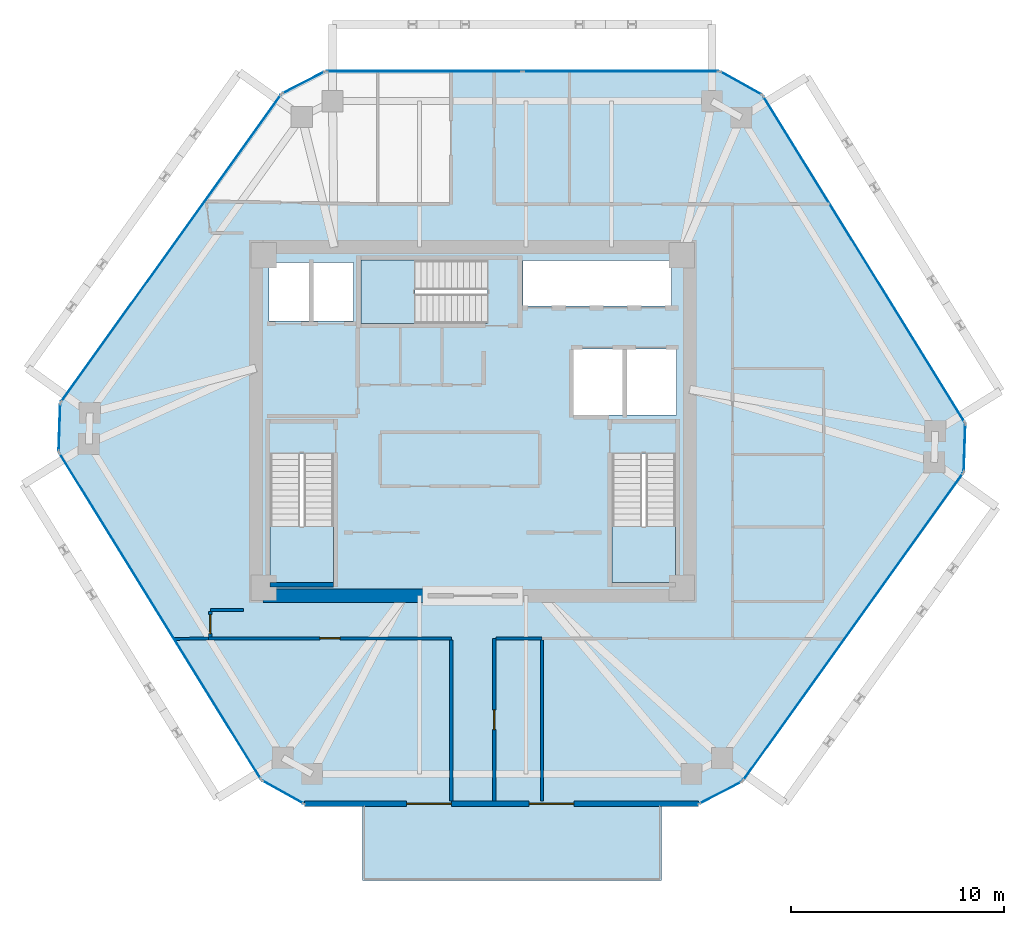
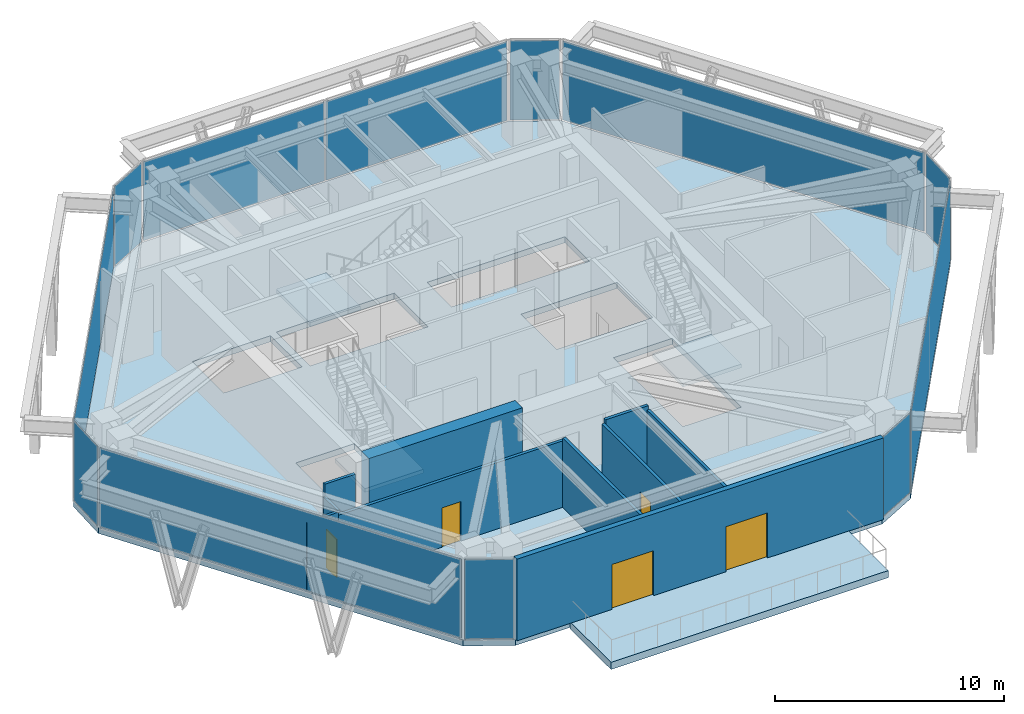
# One storey, part 7 of 12: 12 plates, 11 walls, 5 doors, 5 slabs, 5 openings, 14 elements without a shape of their own.
"""IFC4 building model written with IfcOpenShell, lengths in metres."""

from ifc_helpers import new_model, si_unit, direction, frame, frame_2d, origin, origin_2d, place, context, subcontext, project, spatial, polyline, rectangle, outline, extrude, source, transform, mapped, material, layer, layer_set, type_object, type_shapes, element, fill, aggregate, save


model = new_model("IFC4")

# Units and contexts
model_context = context("Model", 3, precision=1e-05, world=origin(), true_north=direction((0.0, 1.0)))
body_context = subcontext(model_context, "Body", "Model", "MODEL_VIEW")
ifc_project = project(units=[si_unit("LENGTHUNIT", "METRE"), si_unit("AREAUNIT", "SQUARE_METRE"), si_unit("VOLUMEUNIT", "CUBIC_METRE"), si_unit("PLANEANGLEUNIT", "RADIAN"), si_unit("MASSUNIT", "GRAM", prefix="KILO")], contexts=[model_context])

# Site, building, storey
site_placement = place(None, origin())
site = spatial("IfcSite", under=ifc_project, at=site_placement, CompositionType="ELEMENT")
building_placement = place(site_placement, origin())
building = spatial("IfcBuilding", under=site, at=building_placement, Name="Durnholm Broadcast Tower", CompositionType="ELEMENT")
storey_placement = place(building_placement, frame((0.0, 0.0, 162.60009765625)))
storey = spatial("IfcBuildingStorey", under=building, at=storey_placement, Name="L44", CompositionType="ELEMENT", Elevation=162.60009765625)

# Slab
ifc_material_1 = material(Name="Concrete C50/60", Category="concrete")
ifc_layer_1 = layer(ifc_material_1, 0.320068359375)
ifc_layer_set_1 = layer_set([ifc_layer_1], Name="Concrete C50/60")
slab_type_1 = type_object("IfcSlabType", Name="SLAB-FLR-320", PredefinedType="FLOOR", material=ifc_layer_set_1)
slab_1_placement = place(storey_placement, frame((0.0, 0.0, -0.320068359375)))
element("IfcSlab", 1, at=slab_1_placement, inside=storey, type_object=slab_type_1, Name="L44 structural floor slab", PredefinedType="FLOOR", context=body_context, shape_type="SweptSolid", body=[
    extrude(outline(polyline([(-9.912353515625, -16.822021484375), (-7.9033203125, -17.94189453125), (10.59521484375, -17.94189453125), (12.64111328125, -16.890625), (23.022705078125, -2.390380859375), (23.1005859375, -0.091552734375), (13.59033203125, 15.2978515625), (11.581298828125, 16.41796875), (-6.917236328125, 16.41796875), (-8.962890625, 15.36669921875), (-19.3447265625, 0.8662109375), (-19.422607421875, -1.432373046875), (-9.912353515625, -16.822021484375)]), holes=[polyline([(-6.5400390625, -1.5), (-9.5, -1.5), (-9.5, -7.550048828125), (-6.5400390625, -7.550048828125), (-6.5400390625, -1.5)]), polyline([(9.5, -7.550048828125), (9.5, -1.5), (6.5400390625, -1.5), (6.5400390625, -7.550048828125), (9.5, -7.550048828125)]), polyline([(9.550048828125, 3.39990234375), (4.699951171875, 3.39990234375), (4.699951171875, 0.300048828125), (9.550048828125, 0.300048828125), (9.550048828125, 3.39990234375)]), polyline([(-9.550048828125, 7.449951171875), (-9.550048828125, 4.699951171875), (-5.60009765625, 4.699951171875), (-5.60009765625, 7.449951171875), (-9.550048828125, 7.449951171875)]), polyline([(-5.25, 4.60009765625), (0.699951171875, 4.60009765625), (0.699951171875, 7.56005859375), (-5.25, 7.56005859375), (-5.25, 4.60009765625)]), polyline([(9.31005859375, 7.550048828125), (2.35009765625, 7.550048828125), (2.35009765625, 5.39990234375), (9.31005859375, 5.39990234375), (9.31005859375, 7.550048828125)])]), origin(), (0.0, 0.0, 1.0), 0.320068359375),
])

# Stair, slab
stair_type = type_object("IfcStairType", Name="STAIR-DL-26R1769", PredefinedType="HALF_TURN_STAIR", material=ifc_material_1)
stair_1_placement = place(storey_placement, origin())
stair_1 = element("IfcStair", 2, at=stair_1_placement, inside=storey, type_object=stair_type, Name="L44 ST-1", PredefinedType="HALF_TURN_STAIR")
ifc_layer_2 = layer(ifc_material_1, 0.199951171875)
ifc_layer_set_2 = layer_set([ifc_layer_2], Name="Concrete C50/60")
slab_type_2 = type_object("IfcSlabType", Name="SLAB-LND-200", PredefinedType="LANDING", material=ifc_layer_set_2)
slab_2_placement = place(storey_placement, frame((0.0, 0.0, 2.099853515625)))
slab_2 = element("IfcSlab", 3, at=slab_2_placement, type_object=slab_type_2, Name="ST-1 landing 1", PredefinedType="LANDING", context=body_context, shape_type="SweptSolid", body=[
    extrude(outline(polyline([(-9.5, -4.919921875), (-9.5, -7.550048828125), (-6.5400390625, -7.550048828125), (-6.5400390625, -4.919921875), (-9.5, -4.919921875)])), origin(), (0.0, 0.0, 1.0), 0.199951171875),
])
aggregate(stair_1, [slab_2])

stair_2_placement = place(storey_placement, origin())
stair_2 = element("IfcStair", 4, at=stair_2_placement, inside=storey, type_object=stair_type, Name="L44 ST-2", PredefinedType="HALF_TURN_STAIR")
slab_3_placement = place(storey_placement, frame((0.0, 0.0, 2.099853515625)))
slab_3 = element("IfcSlab", 5, at=slab_3_placement, type_object=slab_type_2, Name="ST-2 landing 1", PredefinedType="LANDING", context=body_context, shape_type="SweptSolid", body=[
    extrude(outline(polyline([(6.5400390625, -4.919921875), (6.5400390625, -7.550048828125), (9.5, -7.550048828125), (9.5, -4.919921875), (6.5400390625, -4.919921875)])), origin(), (0.0, 0.0, 1.0), 0.199951171875),
])
aggregate(stair_2, [slab_3])

stair_3_placement = place(storey_placement, origin())
stair_3 = element("IfcStair", 6, at=stair_3_placement, inside=storey, type_object=stair_type, Name="L44 ST-3", PredefinedType="HALF_TURN_STAIR")
slab_4_placement = place(storey_placement, frame((0.0, 0.0, 2.099853515625)))
slab_4 = element("IfcSlab", 7, at=slab_4_placement, type_object=slab_type_2, Name="ST-3 landing 1", PredefinedType="LANDING", context=body_context, shape_type="SweptSolid", body=[
    extrude(outline(polyline([(-2.719970703125, 7.56005859375), (-5.25, 7.56005859375), (-5.25, 4.60009765625), (-2.719970703125, 4.60009765625), (-2.719970703125, 7.56005859375)])), origin(), (0.0, 0.0, 1.0), 0.199951171875),
])
aggregate(stair_3, [slab_4])

# Slab
ifc_layer_3 = layer(ifc_material_1, 0.3798828125)
ifc_layer_set_3 = layer_set([ifc_layer_3], Name="Concrete C50/60")
slab_type_3 = type_object("IfcSlabType", Name="SLAB-POOL-380", PredefinedType="FLOOR", material=ifc_layer_set_3)
slab_5_placement = place(storey_placement, frame((0.0, 0.0, -0.380126953125)))
element("IfcSlab", 8, at=slab_5_placement, inside=storey, type_object=slab_type_3, Name="L44 cantilevered sky-pool deck and basin slab", PredefinedType="FLOOR", context=body_context, shape_type="SweptSolid", body=[
    extrude(outline(polyline([(8.839111328125, -17.9619140625), (-5.160888671875, -17.9619140625), (-5.160888671875, -21.5419921875), (8.839111328125, -21.5419921875), (8.839111328125, -17.9619140625)])), origin(), (0.0, 0.0, 1.0), 0.380126953125),
])

# Curtain wall, plate
ifc_material_2 = material(Name="Aluminium and Solar Control IGU", Category="aluminium")
ifc_layer_4 = layer(ifc_material_2, 0.1650390625)
ifc_layer_set_4 = layer_set([ifc_layer_4], Name="Aluminium and Solar Control IGU")
curtain_wall_type_1 = type_object("IfcCurtainWallType", Name="CW-SYS-5", PredefinedType="NOTDEFINED", material=ifc_layer_set_4)
curtain_wall_1_placement = place(storey_placement, origin())
curtain_wall_1 = element("IfcCurtainWall", 9, at=curtain_wall_1_placement, inside=storey, type_object=curtain_wall_type_1, Name="L44 curtain wall CW-CORNER CW-L44-CRN-01", PredefinedType="NOTDEFINED")
ifc_material_3 = material(Name="Low-E Laminated Insulating Glass", Category="glass")
ifc_layer_5 = layer(ifc_material_3, 0.030029296875)
ifc_layer_set_5 = layer_set([ifc_layer_5], Name="Low-E Laminated Insulating Glass")
plate_type_1 = type_object("IfcPlateType", Name="CW-SYS-5-PNL", PredefinedType="CURTAIN_PANEL", material=ifc_layer_set_5)
shared_shape_1 = source(origin(), body_context, "Body", "SweptSolid", [
    extrude(rectangle(XDim=2.169921875, YDim=0.030029296875, at=origin_2d()), origin(), (0.0, 0.0, 1.0), 4.22998046875),
])
plate_1_placement = place(storey_placement, frame((-19.3837890625, -0.282958984375, 0.06494140625), z_axis=(0.0, 0.0, 1.0), x_axis=(0.033912704699, 0.999424798802, 0.0)))
plate_1 = element("IfcPlate", 10, at=plate_1_placement, type_object=plate_type_1, Name="CW-CORNER panel 1.1", PredefinedType="CURTAIN_PANEL", context=body_context, shape_type="MappedRepresentation", body=[
    mapped(shared_shape_1, transform((0.0, 0.0, 0.0), x_axis=(1.0, 0.0, 0.0), y_axis=(0.0, 1.0, 0.0), z_axis=(0.0, 0.0, 1.0), scale=1.0)),
])
aggregate(curtain_wall_1, [plate_1])

curtain_wall_2_placement = place(storey_placement, origin())
curtain_wall_2 = element("IfcCurtainWall", 11, at=curtain_wall_2_placement, inside=storey, type_object=curtain_wall_type_1, Name="L44 curtain wall CW-CORNER CW-L44-CRN-03", PredefinedType="NOTDEFINED")
plate_2_placement = place(storey_placement, frame((-7.940185546875, 15.892333984375, 0.06494140625), z_axis=(0.0, 0.0, 1.0), x_axis=(0.889424679545, 0.457081764476, 0.0)))
plate_2 = element("IfcPlate", 12, at=plate_2_placement, type_object=plate_type_1, Name="CW-CORNER panel 1.1", PredefinedType="CURTAIN_PANEL", context=body_context, shape_type="MappedRepresentation", body=[
    mapped(shared_shape_1, transform((0.0, 0.0, 0.0), x_axis=(1.0, 0.0, 0.0), y_axis=(0.0, 1.0, 0.0), z_axis=(0.0, 0.0, 1.0), scale=1.0)),
])
aggregate(curtain_wall_2, [plate_2])

curtain_wall_3_placement = place(storey_placement, origin())
curtain_wall_3 = element("IfcCurtainWall", 13, at=curtain_wall_3_placement, inside=storey, type_object=curtain_wall_type_1, Name="L44 curtain wall CW-CORNER CW-L44-CRN-07", PredefinedType="NOTDEFINED")
plate_3_placement = place(storey_placement, frame((23.061767578125, -1.240966796875, 0.06494140625), z_axis=(0.0, 0.0, 1.0), x_axis=(-0.033912704699, -0.999424798802, 0.0)))
plate_3 = element("IfcPlate", 14, at=plate_3_placement, type_object=plate_type_1, Name="CW-CORNER panel 1.1", PredefinedType="CURTAIN_PANEL", context=body_context, shape_type="MappedRepresentation", body=[
    mapped(shared_shape_1, transform((0.0, 0.0, 0.0), x_axis=(1.0, 0.0, 0.0), y_axis=(0.0, 1.0, 0.0), z_axis=(0.0, 0.0, 1.0), scale=1.0)),
])
aggregate(curtain_wall_3, [plate_3])

curtain_wall_4_placement = place(storey_placement, origin())
curtain_wall_4 = element("IfcCurtainWall", 15, at=curtain_wall_4_placement, inside=storey, type_object=curtain_wall_type_1, Name="L44 curtain wall CW-CORNER CW-L44-CRN-09", PredefinedType="NOTDEFINED")
plate_4_placement = place(storey_placement, frame((11.6181640625, -17.416259765625, 0.06494140625), z_axis=(0.0, 0.0, 1.0), x_axis=(-0.889424679545, -0.457081764476, 0.0)))
plate_4 = element("IfcPlate", 16, at=plate_4_placement, type_object=plate_type_1, Name="CW-CORNER panel 1.1", PredefinedType="CURTAIN_PANEL", context=body_context, shape_type="MappedRepresentation", body=[
    mapped(shared_shape_1, transform((0.0, 0.0, 0.0), x_axis=(1.0, 0.0, 0.0), y_axis=(0.0, 1.0, 0.0), z_axis=(0.0, 0.0, 1.0), scale=1.0)),
])
aggregate(curtain_wall_4, [plate_4])

ifc_layer_6 = layer(ifc_material_2, 0.219970703125)
ifc_layer_set_6 = layer_set([ifc_layer_6], Name="Aluminium and Solar Control IGU")
curtain_wall_type_2 = type_object("IfcCurtainWallType", Name="CW-SYS-6", PredefinedType="NOTDEFINED", material=ifc_layer_set_6)
curtain_wall_5_placement = place(storey_placement, origin())
curtain_wall_5 = element("IfcCurtainWall", 17, at=curtain_wall_5_placement, inside=storey, type_object=curtain_wall_type_2, Name="L44 curtain wall CW-AMENITY CW-L44-F02", PredefinedType="NOTDEFINED")
ifc_layer_7 = layer(ifc_material_3, 0.0380859375)
ifc_layer_set_7 = layer_set([ifc_layer_7], Name="Low-E Laminated Insulating Glass")
plate_type_2 = type_object("IfcPlateType", Name="CW-SYS-6-PNL", PredefinedType="CURTAIN_PANEL", material=ifc_layer_set_7)
shared_shape_2 = source(origin(), body_context, "Body", "SweptSolid", [
    extrude(rectangle(XDim=17.68359375, YDim=0.0380859375, at=origin_2d()), origin(), (0.0, 0.0, 1.0), 4.2099609375),
])
plate_5_placement = place(storey_placement, frame((-14.15380859375, 8.116455078125, 0.074951171875), z_axis=(0.0, 0.0, 1.0), x_axis=(0.582139030549, 0.813089262696, 0.0)))
plate_5 = element("IfcPlate", 18, at=plate_5_placement, type_object=plate_type_2, Name="CW-AMENITY panel 1.1", PredefinedType="CURTAIN_PANEL", context=body_context, shape_type="MappedRepresentation", body=[
    mapped(shared_shape_2, transform((0.0, 0.0, 0.0), x_axis=(1.0, 0.0, 0.0), y_axis=(0.0, 1.0, 0.0), z_axis=(0.0, 0.0, 1.0), scale=1.0)),
])
aggregate(curtain_wall_5, [plate_5])

curtain_wall_6_placement = place(storey_placement, origin())
curtain_wall_6 = element("IfcCurtainWall", 19, at=curtain_wall_6_placement, inside=storey, type_object=curtain_wall_type_2, Name="L44 curtain wall CW-AMENITY CW-L44-F08", PredefinedType="NOTDEFINED")
plate_6_placement = place(storey_placement, frame((17.831787109375, -9.640380859375, 0.074951171875), z_axis=(0.0, 0.0, 1.0), x_axis=(-0.582139030549, -0.813089262696, 0.0)))
plate_6 = element("IfcPlate", 20, at=plate_6_placement, type_object=plate_type_2, Name="CW-AMENITY panel 1.1", PredefinedType="CURTAIN_PANEL", context=body_context, shape_type="MappedRepresentation", body=[
    mapped(shared_shape_2, transform((0.0, 0.0, 0.0), x_axis=(1.0, 0.0, 0.0), y_axis=(0.0, 1.0, 0.0), z_axis=(0.0, 0.0, 1.0), scale=1.0)),
])
aggregate(curtain_wall_6, [plate_6])

# Curtain wall, plates
curtain_wall_7_placement = place(storey_placement, origin())
curtain_wall_7 = element("IfcCurtainWall", 21, at=curtain_wall_7_placement, inside=storey, type_object=curtain_wall_type_2, Name="L44 curtain wall CW-AMENITY CW-L44-F04", PredefinedType="NOTDEFINED")
shared_shape_3 = source(origin(), body_context, "Body", "SweptSolid", [
    extrude(rectangle(XDim=9.136962890625, YDim=0.0380859375, at=origin_2d()), origin(), (0.0, 0.0, 1.0), 4.2099609375),
])
plate_7_placement = place(storey_placement, frame((-2.27392578125, 16.41796875, 0.074951171875), z_axis=(0.0, 0.0, 1.0), x_axis=(1.0, 0.0, 0.0)))
plate_7 = element("IfcPlate", 22, at=plate_7_placement, type_object=plate_type_2, Name="CW-AMENITY panel 1.1", PredefinedType="CURTAIN_PANEL", context=body_context, shape_type="MappedRepresentation", body=[
    mapped(shared_shape_3, transform((0.0, 0.0, 0.0), x_axis=(1.0, 0.0, 0.0), y_axis=(0.0, 1.0, 0.0), z_axis=(0.0, 0.0, 1.0), scale=1.0)),
])
plate_8_placement = place(storey_placement, frame((6.93798828125, 16.41796875, 0.074951171875), z_axis=(0.0, 0.0, 1.0), x_axis=(1.0, 0.0, 0.0)))
plate_8 = element("IfcPlate", 23, at=plate_8_placement, type_object=plate_type_2, Name="CW-AMENITY panel 2.1", PredefinedType="CURTAIN_PANEL", context=body_context, shape_type="MappedRepresentation", body=[
    mapped(shared_shape_3, transform((0.0, 0.0, 0.0), x_axis=(1.0, 0.0, 0.0), y_axis=(0.0, 1.0, 0.0), z_axis=(0.0, 0.0, 1.0), scale=1.0)),
])
aggregate(curtain_wall_7, [plate_7, plate_8])

# Curtain wall, plate
curtain_wall_8_placement = place(storey_placement, origin())
curtain_wall_8 = element("IfcCurtainWall", 24, at=curtain_wall_8_placement, inside=storey, type_object=curtain_wall_type_1, Name="L44 curtain wall CW-CORNER CW-L44-CRN-05", PredefinedType="NOTDEFINED")
shared_shape_4 = source(origin(), body_context, "Body", "SweptSolid", [
    extrude(rectangle(XDim=2.170166015625, YDim=0.030029296875, at=origin_2d()), origin(), (0.0, 0.0, 1.0), 4.22998046875),
])
type_shapes(plate_type_1, [shared_shape_1, shared_shape_4])
plate_9_placement = place(storey_placement, frame((12.5859375, 15.85791015625, 0.06494140625), z_axis=(0.0, 0.0, 1.0), x_axis=(0.873409751271, -0.486986043316, 0.0)))
plate_9 = element("IfcPlate", 25, at=plate_9_placement, type_object=plate_type_1, Name="CW-CORNER panel 1.1", PredefinedType="CURTAIN_PANEL", context=body_context, shape_type="MappedRepresentation", body=[
    mapped(shared_shape_4, transform((0.0, 0.0, 0.0), x_axis=(1.0, 0.0, 0.0), y_axis=(0.0, 1.0, 0.0), z_axis=(0.0, 0.0, 1.0), scale=1.0)),
])
aggregate(curtain_wall_8, [plate_9])

curtain_wall_9_placement = place(storey_placement, origin())
curtain_wall_9 = element("IfcCurtainWall", 26, at=curtain_wall_9_placement, inside=storey, type_object=curtain_wall_type_1, Name="L44 curtain wall CW-CORNER CW-L44-CRN-11", PredefinedType="NOTDEFINED")
plate_10_placement = place(storey_placement, frame((-8.907958984375, -17.3818359375, 0.06494140625), z_axis=(0.0, 0.0, 1.0), x_axis=(-0.873409751271, 0.486986043316, 0.0)))
plate_10 = element("IfcPlate", 27, at=plate_10_placement, type_object=plate_type_1, Name="CW-CORNER panel 1.1", PredefinedType="CURTAIN_PANEL", context=body_context, shape_type="MappedRepresentation", body=[
    mapped(shared_shape_4, transform((0.0, 0.0, 0.0), x_axis=(1.0, 0.0, 0.0), y_axis=(0.0, 1.0, 0.0), z_axis=(0.0, 0.0, 1.0), scale=1.0)),
])
aggregate(curtain_wall_9, [plate_10])

curtain_wall_10_placement = place(storey_placement, origin())
curtain_wall_10 = element("IfcCurtainWall", 28, at=curtain_wall_10_placement, inside=storey, type_object=curtain_wall_type_2, Name="L44 curtain wall CW-AMENITY CW-L44-F06", PredefinedType="NOTDEFINED")
shared_shape_5 = source(origin(), body_context, "Body", "SweptSolid", [
    extrude(rectangle(XDim=17.94091796875, YDim=0.0380859375, at=origin_2d()), origin(), (0.0, 0.0, 1.0), 4.2099609375),
])
type_shapes(plate_type_2, [shared_shape_2, shared_shape_3, shared_shape_5])
plate_11_placement = place(storey_placement, frame((18.345458984375, 7.603271484375, 0.074951171875), z_axis=(0.0, 0.0, 1.0), x_axis=(0.525697750452, -0.850671426092, 0.0)))
plate_11 = element("IfcPlate", 29, at=plate_11_placement, type_object=plate_type_2, Name="CW-AMENITY panel 1.1", PredefinedType="CURTAIN_PANEL", context=body_context, shape_type="MappedRepresentation", body=[
    mapped(shared_shape_5, transform((0.0, 0.0, 0.0), x_axis=(1.0, 0.0, 0.0), y_axis=(0.0, 1.0, 0.0), z_axis=(0.0, 0.0, 1.0), scale=1.0)),
])
aggregate(curtain_wall_10, [plate_11])

curtain_wall_11_placement = place(storey_placement, origin())
curtain_wall_11 = element("IfcCurtainWall", 30, at=curtain_wall_11_placement, inside=storey, type_object=curtain_wall_type_2, Name="L44 curtain wall CW-AMENITY CW-L44-F12", PredefinedType="NOTDEFINED")
plate_12_placement = place(storey_placement, frame((-14.66748046875, -9.127197265625, 0.074951171875), z_axis=(0.0, 0.0, 1.0), x_axis=(-0.525697750452, 0.850671426092, 0.0)))
plate_12 = element("IfcPlate", 31, at=plate_12_placement, type_object=plate_type_2, Name="CW-AMENITY panel 1.1", PredefinedType="CURTAIN_PANEL", context=body_context, shape_type="MappedRepresentation", body=[
    mapped(shared_shape_5, transform((0.0, 0.0, 0.0), x_axis=(1.0, 0.0, 0.0), y_axis=(0.0, 1.0, 0.0), z_axis=(0.0, 0.0, 1.0), scale=1.0)),
])
aggregate(curtain_wall_11, [plate_12])

# Wall
ifc_material_4 = material(Name="Concrete C70/85", Category="concrete")
ifc_layer_8 = layer(ifc_material_4, 0.64990234375)
ifc_layer_set_8 = layer_set([ifc_layer_8], Name="Concrete C70/85")
wall_type_1 = type_object("IfcWallType", Name="WALL-CW-650", PredefinedType="SHEAR", material=ifc_layer_set_8)
wall_1_placement = place(storey_placement, frame((-9.85009765625, -8.175048828125, 0.0), z_axis=(0.0, 0.0, 1.0), x_axis=(1.0, 0.0, 0.0)))
element("IfcWall", 32, at=wall_1_placement, inside=storey, type_object=wall_type_1, Name="L44 central core shear wall CW-S1", PredefinedType="SHEAR", context=body_context, shape_type="SweptSolid", body=[
    extrude(rectangle(XDim=7.75, YDim=0.64990234375, at=frame_2d((3.875, 0.0))), origin(), (0.0, 0.0, 1.0), 4.599853515625),
])

# Wall, openings, doors
ifc_material_5 = material(Name="Precast Concrete C45/55", Category="concrete")
ifc_layer_9 = layer(ifc_material_5, 0.260009765625)
ifc_layer_set_9 = layer_set([ifc_layer_9], Name="Precast Concrete C45/55")
wall_type_2 = type_object("IfcWallType", Name="WALL-EXT-260", PredefinedType="SOLIDWALL", material=ifc_layer_set_9)
wall_2_placement = place(storey_placement, frame((10.59521484375, -17.94189453125, 0.0), z_axis=(0.0, 0.0, 1.0), x_axis=(-1.0, 0.0, 0.0)))
wall_2 = element("IfcWall", 33, at=wall_2_placement, inside=storey, type_object=wall_type_2, Name="L44 sky-pool lounge south exterior wall", PredefinedType="SOLIDWALL", context=body_context, shape_type="SweptSolid", body=[
    extrude(rectangle(XDim=18.49853515625, YDim=0.260009765625, at=frame_2d((9.249267578125, 0.0))), origin(), (0.0, 0.0, 1.0), 4.35986328125),
])
opening_1_placement = place(wall_2_placement, frame((5.84912109375, 0.0, 0.0)))
opening_1 = element("IfcOpeningElement", 34, at=opening_1_placement, cuts=wall_2, Name="Opening DP-1", PredefinedType="OPENING", context=body_context, shape_type="SweptSolid", body=[
    extrude(rectangle(XDim=2.10009765625, YDim=2.39990234375, at=frame_2d((1.050048828125, 1.199951171875))), frame((0.0, 0.14013671875, 0.0), z_axis=(0.0, -1.0, 0.0), x_axis=(1.0, 0.0, 0.0)), (0.0, 0.0, 1.0), 0.280029296875),
])
opening_2_placement = place(wall_2_placement, frame((11.59912109375, 0.0, 0.0)))
opening_2 = element("IfcOpeningElement", 35, at=opening_2_placement, cuts=wall_2, Name="Opening DP-1", PredefinedType="OPENING", context=body_context, shape_type="SweptSolid", body=[
    extrude(rectangle(XDim=2.10009765625, YDim=2.39990234375, at=frame_2d((1.050048828125, 1.199951171875))), frame((0.0, 0.14013671875, 0.0), z_axis=(0.0, -1.0, 0.0), x_axis=(1.0, 0.0, 0.0)), (0.0, 0.0, 1.0), 0.280029296875),
])
ifc_material_6 = material(Name="Anodised Aluminium and Laminated Safety Glass", Category="aluminium")
ifc_layer_10 = layer(ifc_material_6, 0.050048828125)
ifc_layer_set_10 = layer_set([ifc_layer_10], Name="Anodised Aluminium and Laminated Safety Glass")
door_type_1 = type_object("IfcDoorType", Name="DOOR-EXT-POOL", OperationType="DOUBLE_DOOR_SINGLE_SWING", PredefinedType="DOOR", material=ifc_layer_set_10)
shared_shape_6 = source(origin(), body_context, "Body", "SweptSolid", [
    extrude(rectangle(XDim=2.10009765625, YDim=2.39990234375, at=frame_2d((1.050048828125, 1.199951171875))), frame((0.0, 0.02490234375, 0.0), z_axis=(0.0, -1.0, 0.0), x_axis=(1.0, 0.0, 0.0)), (0.0, 0.0, 1.0), 0.050048828125),
])
type_shapes(door_type_1, [shared_shape_6])
door_1_placement = place(opening_1_placement, origin())
door_1 = element("IfcDoor", 36, at=door_1_placement, inside=storey, type_object=door_type_1, Name="L44 cantilevered sky-pool deck access door 1", OperationType="DOUBLE_DOOR_SINGLE_SWING", OverallHeight=2.39990234375, OverallWidth=2.10009765625, PredefinedType="DOOR", context=body_context, shape_type="MappedRepresentation", body=[
    mapped(shared_shape_6, transform((0.0, 0.0, 0.0), x_axis=(1.0, 0.0, 0.0), y_axis=(0.0, 1.0, 0.0), z_axis=(0.0, 0.0, 1.0), scale=1.0)),
])
fill(opening_1, door_1)
door_2_placement = place(opening_2_placement, origin())
door_2 = element("IfcDoor", 37, at=door_2_placement, inside=storey, type_object=door_type_1, Name="L44 cantilevered sky-pool deck access door 2", OperationType="DOUBLE_DOOR_SINGLE_SWING", OverallHeight=2.39990234375, OverallWidth=2.10009765625, PredefinedType="DOOR", context=body_context, shape_type="MappedRepresentation", body=[
    mapped(shared_shape_6, transform((0.0, 0.0, 0.0), x_axis=(1.0, 0.0, 0.0), y_axis=(0.0, 1.0, 0.0), z_axis=(0.0, 0.0, 1.0), scale=1.0)),
])
fill(opening_2, door_2)

# Walls
ifc_material_7 = material(Name="Gypsum Metal Stud Partition", Category="concrete")
ifc_layer_11 = layer(ifc_material_7, 0.135009765625)
ifc_layer_set_11 = layer_set([ifc_layer_11], Name="Gypsum Metal Stud Partition")
wall_type_3 = type_object("IfcWallType", Name="WALL-PART-135", PredefinedType="PARTITIONING", material=ifc_layer_set_11)
wall_3_placement = place(storey_placement, frame((-14.00390625, -10.200927734375, 0.0), z_axis=(0.0, 0.0, 1.0), x_axis=(0.999923084603, 0.012402615782, 0.0)))
element("IfcWall", 38, at=wall_3_placement, inside=storey, type_object=wall_type_3, Name="L44 room dividing partition 16.19", PredefinedType="PARTITIONING", context=body_context, shape_type="SweptSolid", body=[
    extrude(rectangle(XDim=1.6142578125, YDim=0.135009765625, at=frame_2d((0.80712890625, 0.0))), origin(), (0.0, 0.0, 1.0), 3.69873046875),
])
wall_4_placement = place(storey_placement, frame((3.239990234375, -10.259033203125, 0.0), z_axis=(0.0, 0.0, 1.0), x_axis=(0.0, -1.0, 0.0)))
element("IfcWall", 39, at=wall_4_placement, inside=storey, type_object=wall_type_3, Name="L44 room dividing partition 17.18", PredefinedType="PARTITIONING", context=body_context, shape_type="SweptSolid", body=[
    extrude(rectangle(XDim=7.5478515625, YDim=0.135009765625, at=frame_2d((3.77392578125, 0.0))), origin(), (0.0, 0.0, 1.0), 3.69873046875),
])

# Wall, opening, door
ifc_material_8 = material(Name="Acoustic Gypsum Stud Partition", Category="concrete")
ifc_layer_12 = layer(ifc_material_8, 0.14990234375)
ifc_layer_set_12 = layer_set([ifc_layer_12], Name="Acoustic Gypsum Stud Partition")
wall_type_4 = type_object("IfcWallType", Name="WALL-PART-150", PredefinedType="PARTITIONING", material=ifc_layer_set_12)
wall_5_placement = place(storey_placement, frame((-12.389892578125, -10.179931640625, 0.0), z_axis=(0.0, 0.0, 1.0), x_axis=(1.0, 0.0, 0.0)))
wall_5 = element("IfcWall", 40, at=wall_5_placement, inside=storey, type_object=wall_type_4, Name="L44 Catering Servery Kitchen corridor partition", PredefinedType="PARTITIONING", context=body_context, shape_type="SweptSolid", body=[
    extrude(rectangle(XDim=11.3798828125, YDim=0.14990234375, at=frame_2d((5.68994140625, 0.0))), origin(), (0.0, 0.0, 1.0), 3.541748046875),
])
opening_3_placement = place(wall_5_placement, frame((5.215087890625, 0.0, 0.0)))
opening_3 = element("IfcOpeningElement", 41, at=opening_3_placement, cuts=wall_5, Name="Opening DR-95L", PredefinedType="OPENING", context=body_context, shape_type="SweptSolid", body=[
    extrude(rectangle(XDim=0.949951171875, YDim=2.10009765625, at=frame_2d((0.47509765625, 1.050048828125))), frame((0.0, 0.0849609375, 0.0), z_axis=(0.0, -1.0, 0.0), x_axis=(1.0, 0.0, 0.0)), (0.0, 0.0, 1.0), 0.169921875),
])
ifc_material_9 = material(Name="Acoustic Oak Veneer Timber Door", Category="wood")
ifc_layer_13 = layer(ifc_material_9, 0.050048828125)
ifc_layer_set_13 = layer_set([ifc_layer_13], Name="Acoustic Oak Veneer Timber Door")
door_type_2 = type_object("IfcDoorType", Name="DOOR-RM-950L", OperationType="NOTDEFINED", PredefinedType="DOOR", material=ifc_layer_set_13)
shared_shape_7 = source(origin(), body_context, "Body", "SweptSolid", [
    extrude(rectangle(XDim=0.949951171875, YDim=2.10009765625, at=frame_2d((0.47509765625, 1.050048828125))), frame((0.0, 0.02490234375, 0.0), z_axis=(0.0, -1.0, 0.0), x_axis=(1.0, 0.0, 0.0)), (0.0, 0.0, 1.0), 0.050048828125),
])
type_shapes(door_type_2, [shared_shape_7])
door_3_placement = place(opening_3_placement, origin())
door_3 = element("IfcDoor", 42, at=door_3_placement, inside=storey, type_object=door_type_2, Name="L44 Catering Servery Kitchen entrance door", OperationType="SINGLE_SWING_LEFT", OverallHeight=2.10009765625, OverallWidth=0.949951171875, PredefinedType="DOOR", context=body_context, shape_type="MappedRepresentation", body=[
    mapped(shared_shape_7, transform((0.0, 0.0, 0.0), x_axis=(1.0, 0.0, 0.0), y_axis=(0.0, 1.0, 0.0), z_axis=(0.0, 0.0, 1.0), scale=1.0)),
])
fill(opening_3, door_3)

# Wall
wall_6_placement = place(storey_placement, frame((-1.010009765625, -10.259033203125, 0.0), z_axis=(0.0, 0.0, 1.0), x_axis=(0.0, -1.0, 0.0)))
element("IfcWall", 43, at=wall_6_placement, inside=storey, type_object=wall_type_4, Name="L44 Catering Servery Kitchen corridor partition", PredefinedType="PARTITIONING", context=body_context, shape_type="SweptSolid", body=[
    extrude(rectangle(XDim=7.5478515625, YDim=0.14990234375, at=frame_2d((3.77392578125, 0.0))), origin(), (0.0, 0.0, 1.0), 3.69873046875),
])

# Wall, opening, door
wall_7_placement = place(storey_placement, frame((1.010009765625, -17.806884765625, 0.0), z_axis=(0.0, 0.0, 1.0), x_axis=(0.0, 1.0, 0.0)))
wall_7 = element("IfcWall", 44, at=wall_7_placement, inside=storey, type_object=wall_type_4, Name="L44 Club Manager Office corridor partition", PredefinedType="PARTITIONING", context=body_context, shape_type="SweptSolid", body=[
    extrude(rectangle(XDim=7.626953125, YDim=0.14990234375, at=frame_2d((3.8134765625, 0.0))), origin(), (0.0, 0.0, 1.0), 3.69873046875),
])
opening_4_placement = place(wall_7_placement, frame((3.353515625, 0.0, 0.0)))
opening_4 = element("IfcOpeningElement", 45, at=opening_4_placement, cuts=wall_7, Name="Opening DR-92R", PredefinedType="OPENING", context=body_context, shape_type="SweptSolid", body=[
    extrude(rectangle(XDim=0.919921875, YDim=2.10009765625, at=frame_2d((0.4599609375, 1.050048828125))), frame((0.0, 0.0849609375, 0.0), z_axis=(0.0, -1.0, 0.0), x_axis=(1.0, 0.0, 0.0)), (0.0, 0.0, 1.0), 0.169921875),
])
ifc_material_10 = material(Name="Oak Veneer Office Door", Category="wood")
ifc_layer_14 = layer(ifc_material_10, 0.050048828125)
ifc_layer_set_14 = layer_set([ifc_layer_14], Name="Oak Veneer Office Door")
door_type_3 = type_object("IfcDoorType", Name="DOOR-RM-920R", OperationType="NOTDEFINED", PredefinedType="DOOR", material=ifc_layer_set_14)
shared_shape_8 = source(origin(), body_context, "Body", "SweptSolid", [
    extrude(rectangle(XDim=0.919921875, YDim=2.10009765625, at=frame_2d((0.4599609375, 1.050048828125))), frame((0.0, 0.02490234375, 0.0), z_axis=(0.0, -1.0, 0.0), x_axis=(1.0, 0.0, 0.0)), (0.0, 0.0, 1.0), 0.050048828125),
])
type_shapes(door_type_3, [shared_shape_8])
door_4_placement = place(opening_4_placement, origin())
door_4 = element("IfcDoor", 46, at=door_4_placement, inside=storey, type_object=door_type_3, Name="L44 Club Manager Office entrance door", OperationType="SINGLE_SWING_RIGHT", OverallHeight=2.10009765625, OverallWidth=0.919921875, PredefinedType="DOOR", context=body_context, shape_type="MappedRepresentation", body=[
    mapped(shared_shape_8, transform((0.0, 0.0, 0.0), x_axis=(1.0, 0.0, 0.0), y_axis=(0.0, 1.0, 0.0), z_axis=(0.0, 0.0, 1.0), scale=1.0)),
])
fill(opening_4, door_4)

# Walls
wall_8_placement = place(storey_placement, frame((1.089111328125, -10.179931640625, 0.0), z_axis=(0.0, 0.0, 1.0), x_axis=(1.0, 0.0, 0.0)))
element("IfcWall", 47, at=wall_8_placement, inside=storey, type_object=wall_type_4, Name="L44 Club Manager Office corridor partition", PredefinedType="PARTITIONING", context=body_context, shape_type="SweptSolid", body=[
    extrude(rectangle(XDim=2.15087890625, YDim=0.14990234375, at=frame_2d((1.075439453125, 0.0))), origin(), (0.0, 0.0, 1.0), 3.908203125),
])
wall_9_placement = place(storey_placement, frame((-10.760009765625, -8.840087890625, 0.0), z_axis=(0.0, 0.0, 1.0), x_axis=(-1.0, 0.0, 0.0)))
element("IfcWall", 48, at=wall_9_placement, inside=storey, type_object=wall_type_4, Name="L44 Fitness Wellness Hall corridor partition", PredefinedType="PARTITIONING", context=body_context, shape_type="SweptSolid", body=[
    extrude(rectangle(XDim=1.550048828125, YDim=0.14990234375, at=frame_2d((0.77490234375, 0.0))), origin(), (0.0, 0.0, 1.0), 4.344970703125),
])

# Wall, opening, door
wall_10_placement = place(storey_placement, frame((-12.31005859375, -8.9189453125, 0.0), z_axis=(0.0, 0.0, 1.0), x_axis=(0.0, -1.0, 0.0)))
wall_10 = element("IfcWall", 49, at=wall_10_placement, inside=storey, type_object=wall_type_4, Name="L44 Fitness Wellness Hall corridor partition", PredefinedType="PARTITIONING", context=body_context, shape_type="SweptSolid", body=[
    extrude(rectangle(XDim=1.18212890625, YDim=0.14990234375, at=frame_2d((0.591064453125, 0.0))), origin(), (0.0, 0.0, 1.0), 3.69873046875),
])
opening_5_placement = place(wall_10_placement, frame((0.14111328125, 0.0, 0.0)))
opening_5 = element("IfcOpeningElement", 50, at=opening_5_placement, cuts=wall_10, Name="Opening DW-90L", PredefinedType="OPENING", context=body_context, shape_type="SweptSolid", body=[
    extrude(rectangle(XDim=0.89990234375, YDim=2.050048828125, at=frame_2d((0.449951171875, 1.02490234375))), frame((0.0, 0.0849609375, 0.0), z_axis=(0.0, -1.0, 0.0), x_axis=(1.0, 0.0, 0.0)), (0.0, 0.0, 1.0), 0.169921875),
])
ifc_material_11 = material(Name="Laminate Restroom Door", Category="steel")
ifc_layer_15 = layer(ifc_material_11, 0.050048828125)
ifc_layer_set_15 = layer_set([ifc_layer_15], Name="Laminate Restroom Door")
door_type_4 = type_object("IfcDoorType", Name="DOOR-WC-900L", OperationType="NOTDEFINED", PredefinedType="DOOR", material=ifc_layer_set_15)
shared_shape_9 = source(origin(), body_context, "Body", "SweptSolid", [
    extrude(rectangle(XDim=0.89990234375, YDim=2.050048828125, at=frame_2d((0.449951171875, 1.02490234375))), frame((0.0, 0.02490234375, 0.0), z_axis=(0.0, -1.0, 0.0), x_axis=(1.0, 0.0, 0.0)), (0.0, 0.0, 1.0), 0.050048828125),
])
type_shapes(door_type_4, [shared_shape_9])
door_5_placement = place(opening_5_placement, origin())
door_5 = element("IfcDoor", 51, at=door_5_placement, inside=storey, type_object=door_type_4, Name="L44 Fitness Wellness Hall entrance door", OperationType="SINGLE_SWING_LEFT", OverallHeight=2.050048828125, OverallWidth=0.89990234375, PredefinedType="DOOR", context=body_context, shape_type="MappedRepresentation", body=[
    mapped(shared_shape_9, transform((0.0, 0.0, 0.0), x_axis=(1.0, 0.0, 0.0), y_axis=(0.0, 1.0, 0.0), z_axis=(0.0, 0.0, 1.0), scale=1.0)),
])
fill(opening_5, door_5)

# Wall
ifc_layer_16 = layer(ifc_material_1, 0.219970703125)
ifc_layer_set_16 = layer_set([ifc_layer_16], Name="Concrete C50/60")
wall_type_5 = type_object("IfcWallType", Name="WALL-SW-220", PredefinedType="SHEAR", material=ifc_layer_set_16)
wall_11_placement = place(storey_placement, frame((-9.5, -7.659912109375, -0.320068359375), z_axis=(0.0, 0.0, 1.0), x_axis=(1.0, 0.0, 0.0)))
element("IfcWall", 52, at=wall_11_placement, inside=storey, type_object=wall_type_5, Name="L44 stair ST-1 structural shaft wall S", PredefinedType="SHEAR", context=body_context, shape_type="SweptSolid", body=[
    extrude(rectangle(XDim=2.9599609375, YDim=0.219970703125, at=frame_2d((1.47998046875, 0.0))), origin(), (0.0, 0.0, 1.0), 4.679931640625),
])

save(model, "model.ifc")
